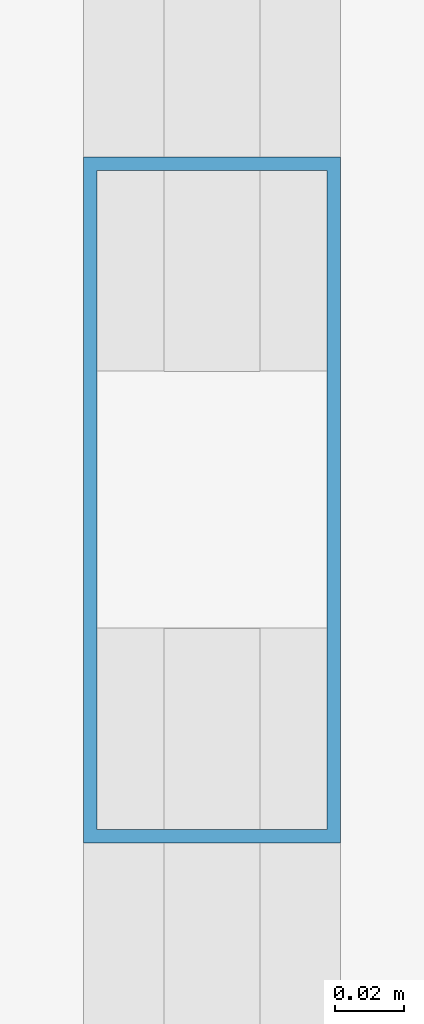
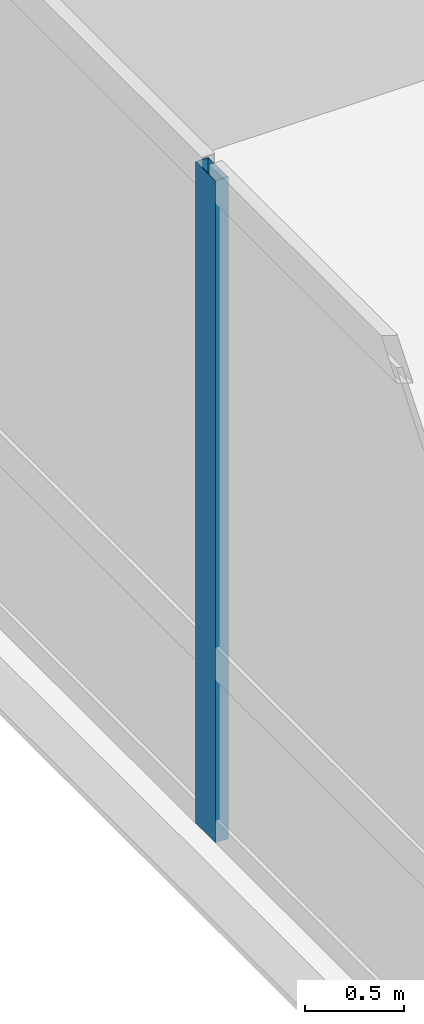
# One storey, part 8 of 26: 1 member, 1 element without a shape of its own.
"""IFC4 building model written with IfcOpenShell, lengths in metres."""

from ifc_helpers import new_model, si_unit, direction, frame, origin, origin_2d, place, context, subcontext, project, spatial, hollow_rectangle, extrude, material, layer, layer_set, material_profile, profile_set, type_object, element, aggregate, save


model = new_model("IFC4")

# Units and contexts
model_context = context("Model", 3, precision=1e-05, world=origin(), true_north=direction((0.0, 1.0)))
body_context = subcontext(model_context, "Body", "Model", "MODEL_VIEW")
ifc_project = project(units=[si_unit("LENGTHUNIT", "METRE"), si_unit("AREAUNIT", "SQUARE_METRE"), si_unit("VOLUMEUNIT", "CUBIC_METRE"), si_unit("PLANEANGLEUNIT", "RADIAN"), si_unit("MASSUNIT", "GRAM", prefix="KILO")], contexts=[model_context])

# Site, building, storey
site_placement = place(None, origin())
site = spatial("IfcSite", under=ifc_project, at=site_placement, CompositionType="ELEMENT")
building_placement = place(site_placement, origin())
building = spatial("IfcBuilding", under=site, at=building_placement, Name="Varnelok Gate Tower", CompositionType="ELEMENT")
storey_placement = place(building_placement, origin())
storey = spatial("IfcBuildingStorey", under=building, at=storey_placement, Name="L00", CompositionType="ELEMENT", Elevation=0.0)

# Curtain wall, member
ifc_material = material(Name="Anodized Aluminum Alloy 6063-T6", Category="aluminium")
ifc_layer = layer(ifc_material, 0.179931640625)
ifc_layer_set = layer_set([ifc_layer], Name="Anodized Aluminum Alloy 6063-T6")
curtain_wall_type = type_object("IfcCurtainWallType", Name="CW1-ARCH-PORTAL", PredefinedType="USERDEFINED", material=ifc_layer_set)
curtain_wall_placement = place(storey_placement, origin())
curtain_wall = element("IfcCurtainWall", 1, at=curtain_wall_placement, inside=storey, type_object=curtain_wall_type, Name="L00 Podium Portal Curtain Wall W", ObjectType="UNITISED CURTAIN WALL", PredefinedType="USERDEFINED")
ifc_material_profile = material_profile(ifc_material, hollow_rectangle(XDim=0.074951171875, YDim=0.199951171875, WallThickness=0.00390625, at=origin_2d()), Name="ALU200X75X4")
ifc_profile_set = profile_set([ifc_material_profile], Name="Anodized Aluminum Alloy 6063-T6")
member_type = type_object("IfcMemberType", Name="CW-MULL-200", PredefinedType="MULLION", material=ifc_profile_set)
member_placement = place(storey_placement, frame((0.159912109375, 30.199951171875, 0.0), z_axis=(0.0, 0.0, 1.0), x_axis=(-1.0, 0.0, 0.0)))
member = element("IfcMember", 2, at=member_placement, type_object=member_type, Name="CW1 mullion 4", PredefinedType="MULLION", context=body_context, shape_type="SweptSolid", body=[
    extrude(hollow_rectangle(XDim=0.074951171875, YDim=0.199951171875, WallThickness=0.00390625, at=origin_2d()), origin(), (0.0, 0.0, 1.0), 4.070068359375),
])
aggregate(curtain_wall, [member])

save(model, "model.ifc")
